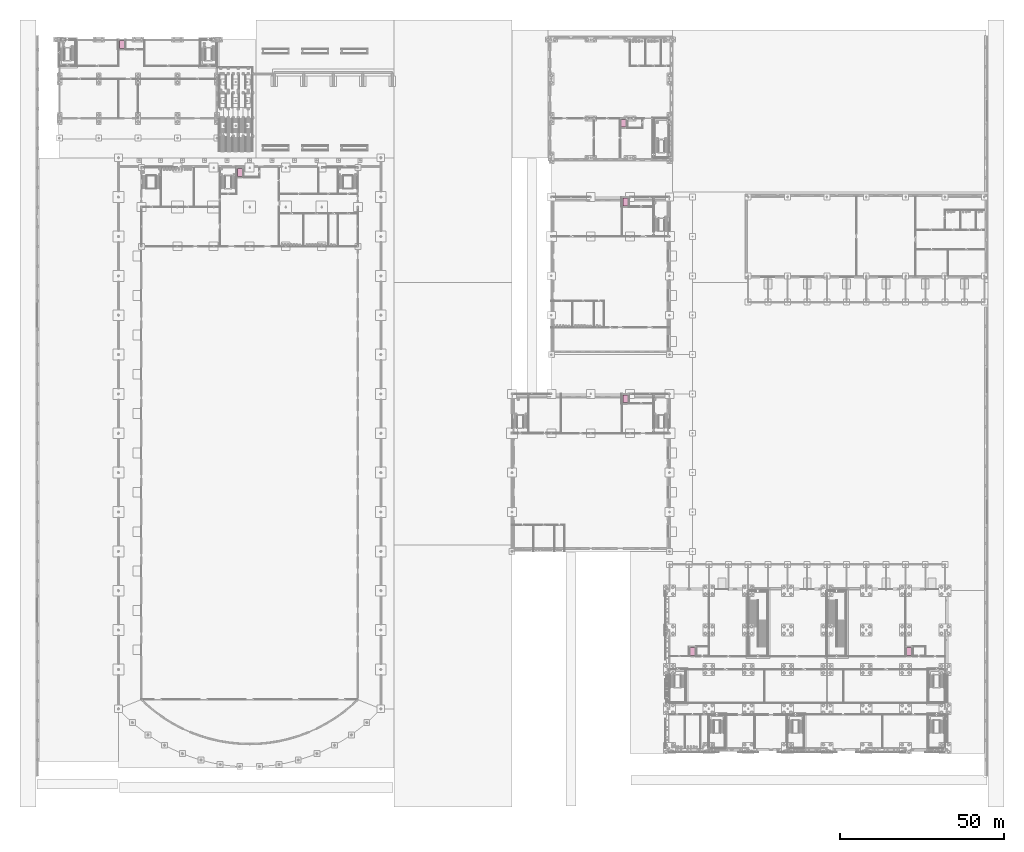
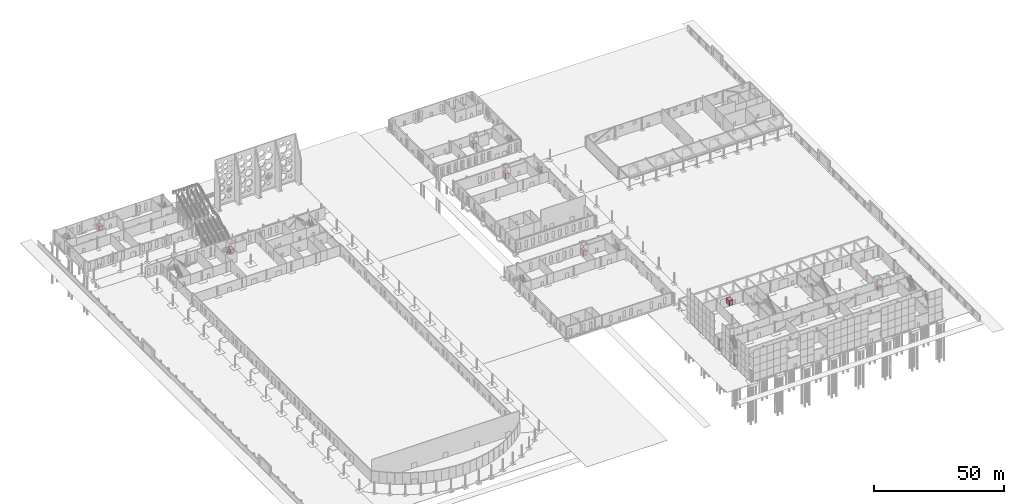
# One storey, part 132 of 132: 7 transport elements.
"""IFC4 building model written with IfcOpenShell, lengths in metres."""

from ifc_helpers import new_model, si_unit, direction, frame, origin, origin_2d, place, context, subcontext, project, spatial, rectangle, extrude, material, type_object, element, save


model = new_model("IFC4")

# Units and contexts
model_context = context("Model", 3, precision=1e-05, world=origin(), true_north=direction((0.0, 1.0)))
body_context = subcontext(model_context, "Body", "Model", "MODEL_VIEW")
ifc_project = project(units=[si_unit("LENGTHUNIT", "METRE"), si_unit("AREAUNIT", "SQUARE_METRE"), si_unit("VOLUMEUNIT", "CUBIC_METRE"), si_unit("PLANEANGLEUNIT", "RADIAN"), si_unit("MASSUNIT", "GRAM", prefix="KILO")], contexts=[model_context])

# Site, building, storey
site_placement = place(None, origin())
site = spatial("IfcSite", under=ifc_project, at=site_placement, CompositionType="ELEMENT")
building_placement = place(site_placement, origin())
building = spatial("IfcBuilding", under=site, at=building_placement, Name="Ravi Spectrum Wholesale Market", CompositionType="ELEMENT")
storey_placement = place(building_placement, origin())
storey = spatial("IfcBuildingStorey", under=building, at=storey_placement, Name="L00", CompositionType="ELEMENT", Elevation=0.0)

# Transport elements
ifc_material_1 = material(Name="Stainless steel", Category="steel")
transport_element_type_1 = type_object("IfcTransportElementType", Name="Goods and passenger lift", PredefinedType="ELEVATOR", material=ifc_material_1)
for number, where, z_axis, x_axis, name in (
    (1, (205.074951171875, 47.47509765625, 16.199951171875), (0.0, 0.0, 1.0), (1.0, 0.0, 0.0), "CS-LF-L00-LF-CS-1"),
    (2, (271.074951171875, 47.47509765625, 0.0), (0.0, 0.0, 1.0), (1.0, 0.0, 0.0), "CS-LF-L00-LF-CS-2"),
):
    element("IfcTransportElement", number, at=place(storey_placement, frame(where, z_axis=z_axis, x_axis=x_axis)), inside=storey, type_object=transport_element_type_1, Name=name, PredefinedType="ELEVATOR", context=body_context, shape_type="SweptSolid", body=[
        extrude(rectangle(XDim=1.60009765625, YDim=2.39990234375, at=origin_2d()), origin(), (0.0, 0.0, 1.0), 2.39990234375),
    ])
ifc_material_2 = material(Name="Stainless steel", Category="steel")
transport_element_type_2 = type_object("IfcTransportElementType", Name="Passenger lift", PredefinedType="ELEVATOR", material=ifc_material_2)
for number, where, z_axis, x_axis, name in (
    (3, (67.074951171875, 193.52490234375, 0.0), (0.0, 0.0, 1.0), (1.0, 0.0, 0.0), "H1-LF-L00-LF-H1-1"),
    (4, (184.574951171875, 124.52490234375, 0.0), (0.0, 0.0, 1.0), (1.0, 0.0, 0.0), "H2-LF-L00-LF-H2-1"),
    (5, (184.574951171875, 184.52490234375, 0.0), (0.0, 0.0, 1.0), (1.0, 0.0, 0.0), "H3-LF-L00-LF-H3-1"),
    (6, (184.074951171875, 208.52490234375, 0.0), (0.0, 0.0, 1.0), (1.0, 0.0, 0.0), "AU-LF-L00-LF-AU-1"),
    (7, (31.074951171875, 232.52490234375, 0.0), (0.0, 0.0, 1.0), (1.0, 0.0, 0.0), "OF-LF-L00-LF-OF-1"),
):
    element("IfcTransportElement", number, at=place(storey_placement, frame(where, z_axis=z_axis, x_axis=x_axis)), inside=storey, type_object=transport_element_type_2, Name=name, PredefinedType="ELEVATOR", context=body_context, shape_type="SweptSolid", body=[
        extrude(rectangle(XDim=1.60009765625, YDim=2.39990234375, at=origin_2d()), origin(), (0.0, 0.0, 1.0), 2.39990234375),
    ])

save(model, "model.ifc")
